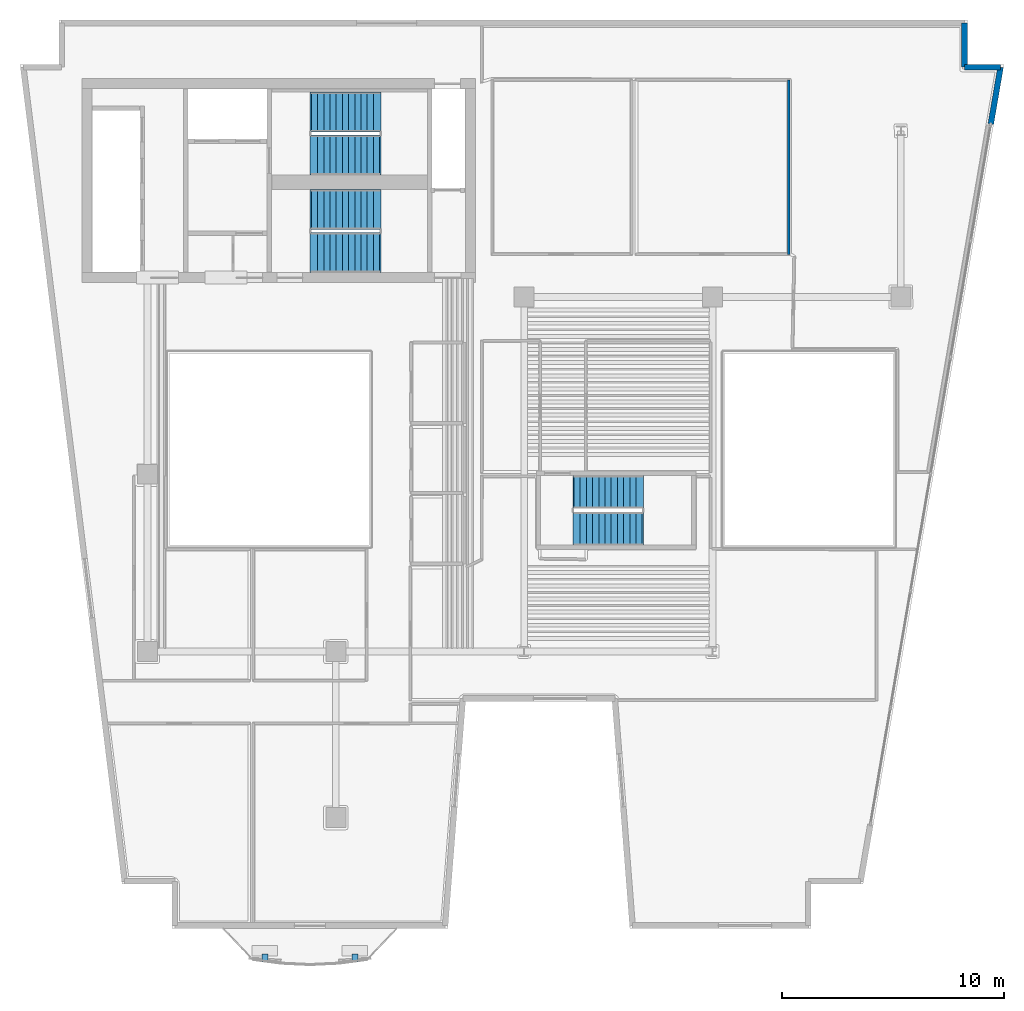
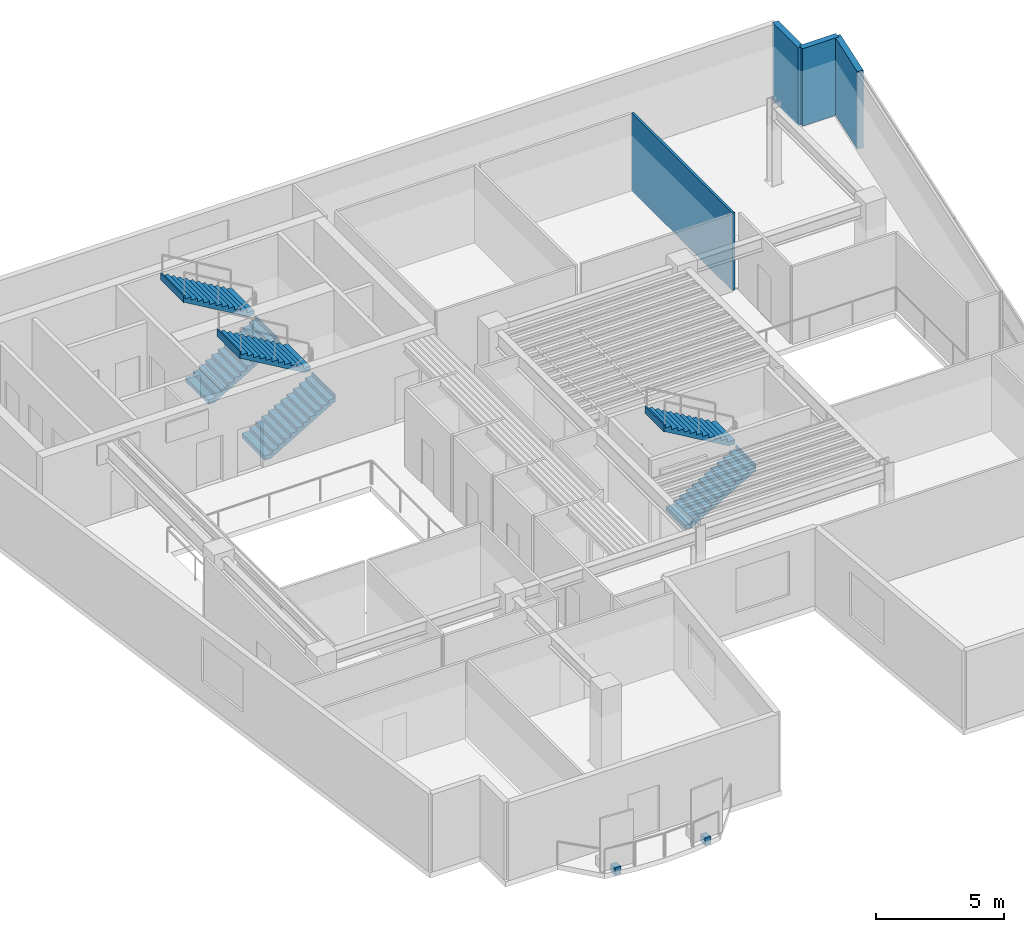
# One storey, part 6 of 9: 6 stair flights, 4 walls, 2 discrete accessories, 3 elements without a shape of their own.
"""IFC4 building model written with IfcOpenShell, lengths in metres."""

from ifc_helpers import new_model, si_unit, direction, frame, frame_2d, origin, origin_2d, place, context, subcontext, project, spatial, polyline, rectangle, outline, extrude, material, layer, layer_set, type_object, element, aggregate, save


model = new_model("IFC4")

# Units and contexts
model_context = context("Model", 3, precision=1e-05, world=origin(), true_north=direction((0.0, 1.0)))
body_context = subcontext(model_context, "Body", "Model", "MODEL_VIEW")
ifc_project = project(units=[si_unit("LENGTHUNIT", "METRE"), si_unit("AREAUNIT", "SQUARE_METRE"), si_unit("VOLUMEUNIT", "CUBIC_METRE"), si_unit("PLANEANGLEUNIT", "RADIAN"), si_unit("MASSUNIT", "GRAM", prefix="KILO")], contexts=[model_context])

# Site, building, storey
site_placement = place(None, origin())
site = spatial("IfcSite", under=ifc_project, at=site_placement, CompositionType="ELEMENT")
building_placement = place(site_placement, origin())
building = spatial("IfcBuilding", under=site, at=building_placement, Name="Caeloran Harvest Quay", CompositionType="ELEMENT")
storey_placement = place(building_placement, frame((0.0, 0.0, 203.5)))
storey = spatial("IfcBuildingStorey", under=building, at=storey_placement, Name="L48", CompositionType="ELEMENT", Elevation=203.5)

# Walls
ifc_material_1 = material(Name="Precast concrete C50/60", Category="concrete")
ifc_layer_1 = layer(ifc_material_1, 0.260009765625, Name="Precast concrete C50/60")
ifc_layer_set_1 = layer_set([ifc_layer_1], Name="Precast concrete C50/60")
wall_type_1 = type_object("IfcWallType", Name="ENV-WALL-EW-260", PredefinedType="STANDARD", material=ifc_layer_set_1)
wall_1_placement = place(storey_placement, frame((45.3701171875, 43.3701171875, 0.0), z_axis=(0.0, 0.0, 1.0), x_axis=(0.0, -1.0, 0.0)))
element("IfcWall", 1, at=wall_1_placement, inside=storey, type_object=wall_type_1, Name="L48 Exterior Precast Concrete Facade Wall 7", PredefinedType="STANDARD", context=body_context, shape_type="SweptSolid", body=[
    extrude(rectangle(XDim=2.0, YDim=0.260009765625, at=frame_2d((1.0, 0.0))), origin(), (0.0, 0.0, 1.0), 3.699951171875),
])
wall_2_placement = place(storey_placement, frame((45.3701171875, 41.3701171875, 0.0), z_axis=(0.0, 0.0, 1.0), x_axis=(1.0, 0.0, 0.0)))
element("IfcWall", 2, at=wall_2_placement, inside=storey, type_object=wall_type_1, Name="L48 Exterior Precast Concrete Facade Wall 8", PredefinedType="STANDARD", context=body_context, shape_type="SweptSolid", body=[
    extrude(rectangle(XDim=1.6318359375, YDim=0.260009765625, at=frame_2d((0.81591796875, 0.0))), origin(), (0.0, 0.0, 1.0), 3.699951171875),
])
wall_3_placement = place(storey_placement, frame((47.001953125, 41.3701171875, 0.0), z_axis=(0.0, 0.0, 1.0), x_axis=(-0.169391215599, -0.98554889076, 0.0)))
element("IfcWall", 3, at=wall_3_placement, inside=storey, type_object=wall_type_1, Name="L48 Exterior Facade Corner Pier Wall 9A", PredefinedType="STANDARD", context=body_context, shape_type="SweptSolid", body=[
    extrude(rectangle(XDim=2.60009765625, YDim=0.260009765625, at=frame_2d((1.300048828125, 0.0))), origin(), (0.0, 0.0, 1.0), 3.699951171875),
])
ifc_material_2 = material(Name="Single-Stud Acoustic Gypsum Office Partition", Category="gypsum")
ifc_layer_2 = layer(ifc_material_2, 0.112060546875, Name="Single-Stud Acoustic Gypsum Office Partition")
ifc_layer_set_2 = layer_set([ifc_layer_2], Name="Single-Stud Acoustic Gypsum Office Partition")
wall_type_2 = type_object("IfcWallType", Name="INT-WALL-PW-112", PredefinedType="PARTITIONING", material=ifc_layer_set_2)
wall_4_placement = place(storey_placement, frame((37.449951171875, 40.800048828125, 0.0), z_axis=(0.0, 0.0, 1.0), x_axis=(0.0, -1.0, 0.0)))
element("IfcWall", 4, at=wall_4_placement, inside=storey, type_object=wall_type_2, Name="L48 Agri-Genomics Executive Strategy Boardroom Partition Wall", PredefinedType="PARTITIONING", context=body_context, shape_type="SweptSolid", body=[
    extrude(rectangle(XDim=7.880126953125, YDim=0.112060546875, at=frame_2d((3.93994140625, 0.0))), origin(), (0.0, 0.0, 1.0), 3.699951171875),
])

# Stair, stair flights
ifc_material_3 = material(Name="Concrete C50/60", Category="concrete")
stair_type_1 = type_object("IfcStairType", Name="STAIR-STC-180", PredefinedType="HALF_TURN_STAIR", material=ifc_material_3)
stair_1_placement = place(storey_placement, origin())
stair_1 = element("IfcStair", 5, at=stair_1_placement, inside=storey, type_object=stair_type_1, Name="L48 Core Pressurized Exit Stair ST-C1", PredefinedType="HALF_TURN_STAIR")
stair_flight_type_1 = type_object("IfcStairFlightType", Name="FLIGHT-STC-180", PredefinedType="STRAIGHT", material=ifc_material_3)
stair_flight_1_placement = place(storey_placement, frame((15.89990234375, 37.39990234375, 0.0), z_axis=(0.0, 0.0, 1.0), x_axis=(1.0, 0.0, 0.0)))
stair_flight_1 = element("IfcStairFlight", 6, at=stair_flight_1_placement, type_object=stair_flight_type_1, Name="ST-C1 flight 1", NumberOfRisers=12, NumberOfTreads=11, PredefinedType="STRAIGHT", RiserHeight=0.164583333, TreadLength=0.28, context=body_context, shape_type="SweptSolid", body=[
    extrude(outline(polyline([(-0.054931640625, -0.044921875), (-0.054931640625, -0.031982421875), (-0.054931640625, -0.018798828125), (-0.054931640625, -0.005615234375), (-0.054931640625, 0.00732421875), (-0.054931640625, 0.0205078125), (-0.054931640625, 0.03369140625), (-0.054931640625, 0.046630859375), (-0.054931640625, 0.059814453125), (-0.054931640625, 0.072998046875), (-0.054931640625, 0.0859375), (-0.054931640625, 0.09912109375), (-0.054931640625, 0.1123046875), (-0.054931640625, 0.125244140625), (-0.054931640625, 0.138427734375), (-0.054931640625, 0.1513671875), (-0.054931640625, 0.16455078125), (0.280029296875, 0.16455078125), (0.280029296875, 0.3291015625), (0.56005859375, 0.3291015625), (0.56005859375, 0.49365234375), (0.840087890625, 0.49365234375), (0.840087890625, 0.658447265625), (1.1201171875, 0.658447265625), (1.1201171875, 0.822998046875), (1.39990234375, 0.822998046875), (1.39990234375, 0.987548828125), (1.679931640625, 0.987548828125), (1.679931640625, 1.152099609375), (1.9599609375, 1.152099609375), (1.9599609375, 1.316650390625), (2.239990234375, 1.316650390625), (2.239990234375, 1.481201171875), (2.52001953125, 1.481201171875), (2.52001953125, 1.645751953125), (2.800048828125, 1.645751953125), (2.800048828125, 1.810302734375), (3.080078125, 1.810302734375), (3.080078125, 1.97509765625), (3.135009765625, 1.97509765625), (3.135009765625, 1.953857421875), (3.135009765625, 1.9326171875), (3.135009765625, 1.91162109375), (3.135009765625, 1.890380859375), (3.135009765625, 1.869140625), (3.135009765625, 1.84814453125), (3.135009765625, 1.826904296875), (3.135009765625, 1.8056640625), (3.135009765625, 1.78466796875), (3.135009765625, 1.763427734375), (3.135009765625, 1.7421875), (3.135009765625, 1.72119140625), (3.135009765625, 1.699951171875), (3.135009765625, 1.678955078125), (3.135009765625, 1.65771484375), (3.135009765625, 1.636474609375), (3.080078125, 1.636474609375), (0.21923828125, -0.044921875), (-0.054931640625, -0.044921875)])), frame((0.0, 0.89990234375, 0.0), z_axis=(0.0, -1.0, 0.0), x_axis=(1.0, 0.0, 0.0)), (0.0, 0.0, 1.0), 1.800048828125),
])
stair_flight_2_placement = place(storey_placement, frame((18.97998046875, 39.35009765625, 1.97509765625), z_axis=(0.0, 0.0, 1.0), x_axis=(-1.0, 0.0, 0.0)))
stair_flight_2 = element("IfcStairFlight", 7, at=stair_flight_2_placement, type_object=stair_flight_type_1, Name="ST-C1 flight 2", NumberOfRisers=12, NumberOfTreads=11, PredefinedType="STRAIGHT", RiserHeight=0.164583333, TreadLength=0.28, context=body_context, shape_type="SweptSolid", body=[
    extrude(outline(polyline([(-0.054931640625, -0.044921875), (-0.054931640625, -0.031982421875), (-0.054931640625, -0.018798828125), (-0.054931640625, -0.005615234375), (-0.054931640625, 0.00732421875), (-0.054931640625, 0.0205078125), (-0.054931640625, 0.03369140625), (-0.054931640625, 0.046630859375), (-0.054931640625, 0.059814453125), (-0.054931640625, 0.072998046875), (-0.054931640625, 0.0859375), (-0.054931640625, 0.09912109375), (-0.054931640625, 0.1123046875), (-0.054931640625, 0.125244140625), (-0.054931640625, 0.138427734375), (-0.054931640625, 0.1513671875), (-0.054931640625, 0.16455078125), (0.280029296875, 0.16455078125), (0.280029296875, 0.3291015625), (0.56005859375, 0.3291015625), (0.56005859375, 0.49365234375), (0.840087890625, 0.49365234375), (0.840087890625, 0.658447265625), (1.1201171875, 0.658447265625), (1.1201171875, 0.822998046875), (1.39990234375, 0.822998046875), (1.39990234375, 0.987548828125), (1.679931640625, 0.987548828125), (1.679931640625, 1.152099609375), (1.9599609375, 1.152099609375), (1.9599609375, 1.316650390625), (2.239990234375, 1.316650390625), (2.239990234375, 1.481201171875), (2.52001953125, 1.481201171875), (2.52001953125, 1.645751953125), (2.800048828125, 1.645751953125), (2.800048828125, 1.810302734375), (3.080078125, 1.810302734375), (3.080078125, 1.97509765625), (3.135009765625, 1.97509765625), (3.135009765625, 1.953857421875), (3.135009765625, 1.9326171875), (3.135009765625, 1.91162109375), (3.135009765625, 1.890380859375), (3.135009765625, 1.869140625), (3.135009765625, 1.84814453125), (3.135009765625, 1.826904296875), (3.135009765625, 1.8056640625), (3.135009765625, 1.78466796875), (3.135009765625, 1.763427734375), (3.135009765625, 1.7421875), (3.135009765625, 1.72119140625), (3.135009765625, 1.699951171875), (3.135009765625, 1.678955078125), (3.135009765625, 1.65771484375), (3.135009765625, 1.636474609375), (3.080078125, 1.636474609375), (0.21923828125, -0.044921875), (-0.054931640625, -0.044921875)])), frame((0.0, 0.89990234375, 0.0), z_axis=(0.0, -1.0, 0.0), x_axis=(1.0, 0.0, 0.0)), (0.0, 0.0, 1.0), 1.800048828125),
])
aggregate(stair_1, [stair_flight_1, stair_flight_2])

stair_2_placement = place(storey_placement, origin())
stair_2 = element("IfcStair", 8, at=stair_2_placement, inside=storey, type_object=stair_type_1, Name="L48 Core Pressurized Exit Stair ST-C2", PredefinedType="HALF_TURN_STAIR")
stair_flight_3_placement = place(storey_placement, frame((15.89990234375, 33.0, 0.0), z_axis=(0.0, 0.0, 1.0), x_axis=(1.0, 0.0, 0.0)))
stair_flight_3 = element("IfcStairFlight", 9, at=stair_flight_3_placement, type_object=stair_flight_type_1, Name="ST-C2 flight 1", NumberOfRisers=12, NumberOfTreads=11, PredefinedType="STRAIGHT", RiserHeight=0.164583333, TreadLength=0.28, context=body_context, shape_type="SweptSolid", body=[
    extrude(outline(polyline([(-0.054931640625, -0.044921875), (-0.054931640625, -0.031982421875), (-0.054931640625, -0.018798828125), (-0.054931640625, -0.005615234375), (-0.054931640625, 0.00732421875), (-0.054931640625, 0.0205078125), (-0.054931640625, 0.03369140625), (-0.054931640625, 0.046630859375), (-0.054931640625, 0.059814453125), (-0.054931640625, 0.072998046875), (-0.054931640625, 0.0859375), (-0.054931640625, 0.09912109375), (-0.054931640625, 0.1123046875), (-0.054931640625, 0.125244140625), (-0.054931640625, 0.138427734375), (-0.054931640625, 0.1513671875), (-0.054931640625, 0.16455078125), (0.280029296875, 0.16455078125), (0.280029296875, 0.3291015625), (0.56005859375, 0.3291015625), (0.56005859375, 0.49365234375), (0.840087890625, 0.49365234375), (0.840087890625, 0.658447265625), (1.1201171875, 0.658447265625), (1.1201171875, 0.822998046875), (1.39990234375, 0.822998046875), (1.39990234375, 0.987548828125), (1.679931640625, 0.987548828125), (1.679931640625, 1.152099609375), (1.9599609375, 1.152099609375), (1.9599609375, 1.316650390625), (2.239990234375, 1.316650390625), (2.239990234375, 1.481201171875), (2.52001953125, 1.481201171875), (2.52001953125, 1.645751953125), (2.800048828125, 1.645751953125), (2.800048828125, 1.810302734375), (3.080078125, 1.810302734375), (3.080078125, 1.97509765625), (3.135009765625, 1.97509765625), (3.135009765625, 1.953857421875), (3.135009765625, 1.9326171875), (3.135009765625, 1.91162109375), (3.135009765625, 1.890380859375), (3.135009765625, 1.869140625), (3.135009765625, 1.84814453125), (3.135009765625, 1.826904296875), (3.135009765625, 1.8056640625), (3.135009765625, 1.78466796875), (3.135009765625, 1.763427734375), (3.135009765625, 1.7421875), (3.135009765625, 1.72119140625), (3.135009765625, 1.699951171875), (3.135009765625, 1.678955078125), (3.135009765625, 1.65771484375), (3.135009765625, 1.636474609375), (3.080078125, 1.636474609375), (0.21923828125, -0.044921875), (-0.054931640625, -0.044921875)])), frame((0.0, 0.89990234375, 0.0), z_axis=(0.0, -1.0, 0.0), x_axis=(1.0, 0.0, 0.0)), (0.0, 0.0, 1.0), 1.800048828125),
])
stair_flight_4_placement = place(storey_placement, frame((18.97998046875, 34.949951171875, 1.97509765625), z_axis=(0.0, 0.0, 1.0), x_axis=(-1.0, 0.0, 0.0)))
stair_flight_4 = element("IfcStairFlight", 10, at=stair_flight_4_placement, type_object=stair_flight_type_1, Name="ST-C2 flight 2", NumberOfRisers=12, NumberOfTreads=11, PredefinedType="STRAIGHT", RiserHeight=0.164583333, TreadLength=0.28, context=body_context, shape_type="SweptSolid", body=[
    extrude(outline(polyline([(-0.054931640625, -0.044921875), (-0.054931640625, -0.031982421875), (-0.054931640625, -0.018798828125), (-0.054931640625, -0.005615234375), (-0.054931640625, 0.00732421875), (-0.054931640625, 0.0205078125), (-0.054931640625, 0.03369140625), (-0.054931640625, 0.046630859375), (-0.054931640625, 0.059814453125), (-0.054931640625, 0.072998046875), (-0.054931640625, 0.0859375), (-0.054931640625, 0.09912109375), (-0.054931640625, 0.1123046875), (-0.054931640625, 0.125244140625), (-0.054931640625, 0.138427734375), (-0.054931640625, 0.1513671875), (-0.054931640625, 0.16455078125), (0.280029296875, 0.16455078125), (0.280029296875, 0.3291015625), (0.56005859375, 0.3291015625), (0.56005859375, 0.49365234375), (0.840087890625, 0.49365234375), (0.840087890625, 0.658447265625), (1.1201171875, 0.658447265625), (1.1201171875, 0.822998046875), (1.39990234375, 0.822998046875), (1.39990234375, 0.987548828125), (1.679931640625, 0.987548828125), (1.679931640625, 1.152099609375), (1.9599609375, 1.152099609375), (1.9599609375, 1.316650390625), (2.239990234375, 1.316650390625), (2.239990234375, 1.481201171875), (2.52001953125, 1.481201171875), (2.52001953125, 1.645751953125), (2.800048828125, 1.645751953125), (2.800048828125, 1.810302734375), (3.080078125, 1.810302734375), (3.080078125, 1.97509765625), (3.135009765625, 1.97509765625), (3.135009765625, 1.953857421875), (3.135009765625, 1.9326171875), (3.135009765625, 1.91162109375), (3.135009765625, 1.890380859375), (3.135009765625, 1.869140625), (3.135009765625, 1.84814453125), (3.135009765625, 1.826904296875), (3.135009765625, 1.8056640625), (3.135009765625, 1.78466796875), (3.135009765625, 1.763427734375), (3.135009765625, 1.7421875), (3.135009765625, 1.72119140625), (3.135009765625, 1.699951171875), (3.135009765625, 1.678955078125), (3.135009765625, 1.65771484375), (3.135009765625, 1.636474609375), (3.080078125, 1.636474609375), (0.21923828125, -0.044921875), (-0.054931640625, -0.044921875)])), frame((0.0, 0.89990234375, 0.0), z_axis=(0.0, -1.0, 0.0), x_axis=(1.0, 0.0, 0.0)), (0.0, 0.0, 1.0), 1.800048828125),
])
aggregate(stair_2, [stair_flight_3, stair_flight_4])

stair_type_2 = type_object("IfcStairType", Name="STAIR-STW-150", PredefinedType="HALF_TURN_STAIR", material=ifc_material_3)
stair_3_placement = place(storey_placement, origin())
stair_3 = element("IfcStair", 11, at=stair_3_placement, inside=storey, type_object=stair_type_2, Name="L48 East Wing Protected Exit Stair ST-W1", PredefinedType="HALF_TURN_STAIR")
stair_flight_type_2 = type_object("IfcStairFlightType", Name="FLIGHT-STW-150", PredefinedType="STRAIGHT", material=ifc_material_3)
stair_flight_5_placement = place(storey_placement, frame((27.75, 20.550048828125, 0.0), z_axis=(0.0, 0.0, 1.0), x_axis=(1.0, 0.0, 0.0)))
stair_flight_5 = element("IfcStairFlight", 12, at=stair_flight_5_placement, type_object=stair_flight_type_2, Name="ST-W1 flight 1", NumberOfRisers=12, NumberOfTreads=11, PredefinedType="STRAIGHT", RiserHeight=0.164583333, TreadLength=0.28, context=body_context, shape_type="SweptSolid", body=[
    extrude(outline(polyline([(-0.054931640625, -0.044921875), (-0.054931640625, -0.031982421875), (-0.054931640625, -0.018798828125), (-0.054931640625, -0.005615234375), (-0.054931640625, 0.00732421875), (-0.054931640625, 0.0205078125), (-0.054931640625, 0.03369140625), (-0.054931640625, 0.046630859375), (-0.054931640625, 0.059814453125), (-0.054931640625, 0.072998046875), (-0.054931640625, 0.0859375), (-0.054931640625, 0.09912109375), (-0.054931640625, 0.1123046875), (-0.054931640625, 0.125244140625), (-0.054931640625, 0.138427734375), (-0.054931640625, 0.1513671875), (-0.054931640625, 0.16455078125), (0.280029296875, 0.16455078125), (0.280029296875, 0.3291015625), (0.56005859375, 0.3291015625), (0.56005859375, 0.49365234375), (0.840087890625, 0.49365234375), (0.840087890625, 0.658447265625), (1.1201171875, 0.658447265625), (1.1201171875, 0.822998046875), (1.39990234375, 0.822998046875), (1.39990234375, 0.987548828125), (1.679931640625, 0.987548828125), (1.679931640625, 1.152099609375), (1.9599609375, 1.152099609375), (1.9599609375, 1.316650390625), (2.239990234375, 1.316650390625), (2.239990234375, 1.481201171875), (2.52001953125, 1.481201171875), (2.52001953125, 1.645751953125), (2.800048828125, 1.645751953125), (2.800048828125, 1.810302734375), (3.080078125, 1.810302734375), (3.080078125, 1.97509765625), (3.135009765625, 1.97509765625), (3.135009765625, 1.953857421875), (3.135009765625, 1.9326171875), (3.135009765625, 1.91162109375), (3.135009765625, 1.890380859375), (3.135009765625, 1.869140625), (3.135009765625, 1.84814453125), (3.135009765625, 1.826904296875), (3.135009765625, 1.8056640625), (3.135009765625, 1.78466796875), (3.135009765625, 1.763427734375), (3.135009765625, 1.7421875), (3.135009765625, 1.72119140625), (3.135009765625, 1.699951171875), (3.135009765625, 1.678955078125), (3.135009765625, 1.65771484375), (3.135009765625, 1.636474609375), (3.080078125, 1.636474609375), (0.21923828125, -0.044921875), (-0.054931640625, -0.044921875)])), frame((0.0, 0.75, 0.0), z_axis=(0.0, -1.0, 0.0), x_axis=(1.0, 0.0, 0.0)), (0.0, 0.0, 1.0), 1.5),
])
stair_flight_6_placement = place(storey_placement, frame((30.830078125, 22.199951171875, 1.97509765625), z_axis=(0.0, 0.0, 1.0), x_axis=(-1.0, 0.0, 0.0)))
stair_flight_6 = element("IfcStairFlight", 13, at=stair_flight_6_placement, type_object=stair_flight_type_2, Name="ST-W1 flight 2", NumberOfRisers=12, NumberOfTreads=11, PredefinedType="STRAIGHT", RiserHeight=0.164583333, TreadLength=0.28, context=body_context, shape_type="SweptSolid", body=[
    extrude(outline(polyline([(-0.054931640625, -0.044921875), (-0.054931640625, -0.031982421875), (-0.054931640625, -0.018798828125), (-0.054931640625, -0.005615234375), (-0.054931640625, 0.00732421875), (-0.054931640625, 0.0205078125), (-0.054931640625, 0.03369140625), (-0.054931640625, 0.046630859375), (-0.054931640625, 0.059814453125), (-0.054931640625, 0.072998046875), (-0.054931640625, 0.0859375), (-0.054931640625, 0.09912109375), (-0.054931640625, 0.1123046875), (-0.054931640625, 0.125244140625), (-0.054931640625, 0.138427734375), (-0.054931640625, 0.1513671875), (-0.054931640625, 0.16455078125), (0.280029296875, 0.16455078125), (0.280029296875, 0.3291015625), (0.56005859375, 0.3291015625), (0.56005859375, 0.49365234375), (0.840087890625, 0.49365234375), (0.840087890625, 0.658447265625), (1.1201171875, 0.658447265625), (1.1201171875, 0.822998046875), (1.39990234375, 0.822998046875), (1.39990234375, 0.987548828125), (1.679931640625, 0.987548828125), (1.679931640625, 1.152099609375), (1.9599609375, 1.152099609375), (1.9599609375, 1.316650390625), (2.239990234375, 1.316650390625), (2.239990234375, 1.481201171875), (2.52001953125, 1.481201171875), (2.52001953125, 1.645751953125), (2.800048828125, 1.645751953125), (2.800048828125, 1.810302734375), (3.080078125, 1.810302734375), (3.080078125, 1.97509765625), (3.135009765625, 1.97509765625), (3.135009765625, 1.953857421875), (3.135009765625, 1.9326171875), (3.135009765625, 1.91162109375), (3.135009765625, 1.890380859375), (3.135009765625, 1.869140625), (3.135009765625, 1.84814453125), (3.135009765625, 1.826904296875), (3.135009765625, 1.8056640625), (3.135009765625, 1.78466796875), (3.135009765625, 1.763427734375), (3.135009765625, 1.7421875), (3.135009765625, 1.72119140625), (3.135009765625, 1.699951171875), (3.135009765625, 1.678955078125), (3.135009765625, 1.65771484375), (3.135009765625, 1.636474609375), (3.080078125, 1.636474609375), (0.21923828125, -0.044921875), (-0.054931640625, -0.044921875)])), frame((0.0, 0.75, 0.0), z_axis=(0.0, -1.0, 0.0), x_axis=(1.0, 0.0, 0.0)), (0.0, 0.0, 1.0), 1.5),
])
aggregate(stair_3, [stair_flight_5, stair_flight_6])

# Discrete accessories
ifc_material_4 = material(Name="Stainless Steel Grade 316L", Category="steel")
discrete_accessory_type = type_object("IfcDiscreteAccessoryType", Name="BRACKET-SCREEN-SS", PredefinedType="BRACKET", material=ifc_material_4)
for number, where, z_axis, x_axis, name in (
    (14, (17.865478515625, 1.17138671875, -0.22021484375), (0.0, 0.0, 1.0), (1.0, 0.0, 0.0), "L48 Balcony Screen Support Bracket 1"),
    (15, (13.80419921875, 1.17138671875, -0.22021484375), (0.0, 0.0, 1.0), (1.0, 0.0, 0.0), "L48 Balcony Screen Support Bracket 2"),
):
    element("IfcDiscreteAccessory", number, at=place(storey_placement, frame(where, z_axis=z_axis, x_axis=x_axis)), inside=storey, type_object=discrete_accessory_type, Name=name, PredefinedType="BRACKET", context=body_context, shape_type="SweptSolid", body=[
        extrude(rectangle(XDim=0.260009765625, YDim=0.340087890625, at=origin_2d()), origin(), (0.0, 0.0, 1.0), 0.360107421875),
    ])

save(model, "model.ifc")
